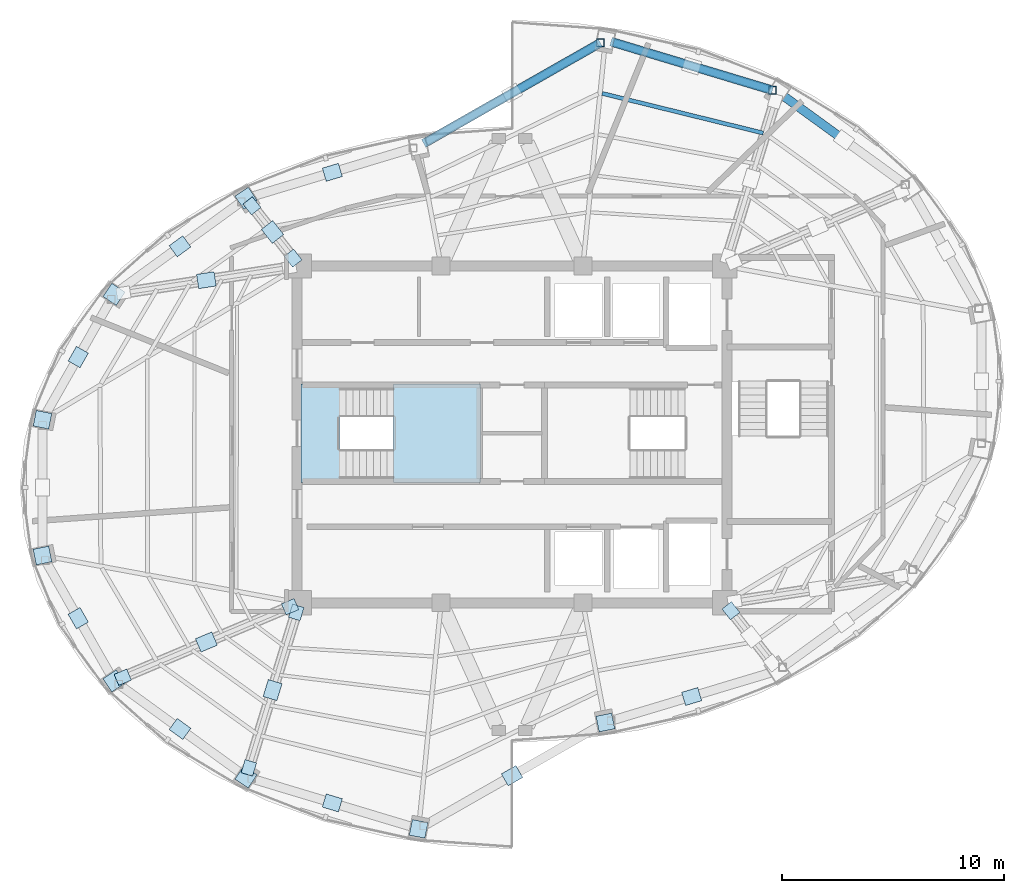
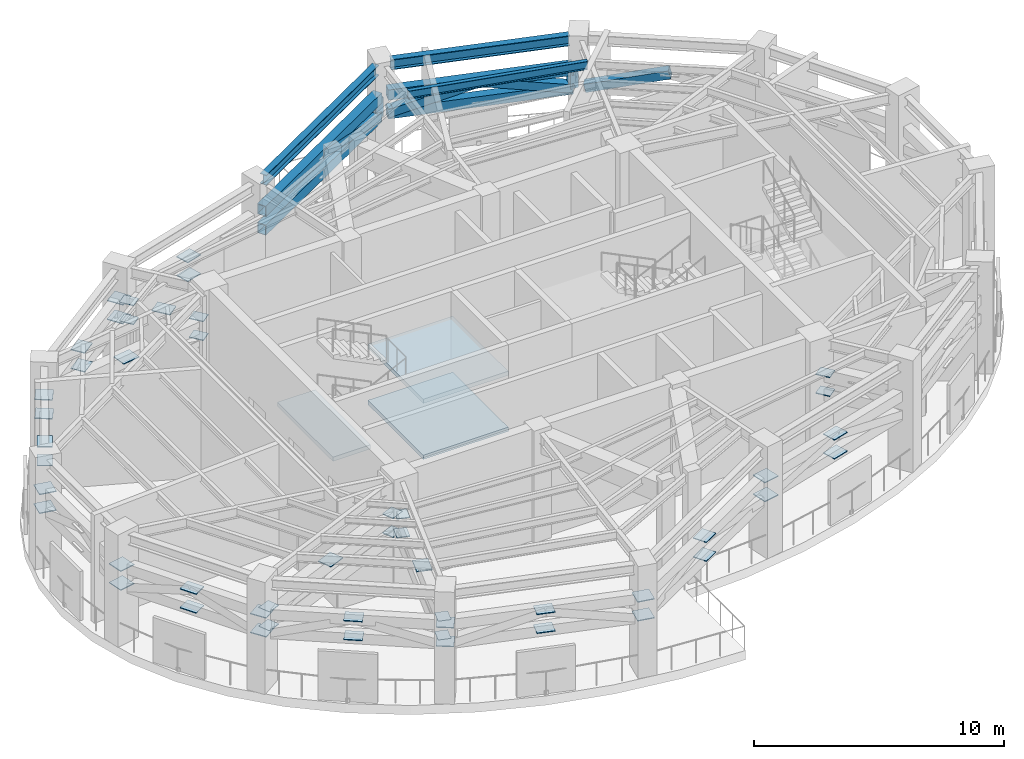
# One storey, part 5 of 12: 50 plates, 10 members, 3 beams, 3 slabs, 1 element without a shape of its own.
"""IFC4 building model written with IfcOpenShell, lengths in metres."""

import ifcopenshell
import ifcopenshell.guid

model = None  # the IFC model being written
_history = None  # IfcOwnerHistory: only IFC2X3 demands one
_inside = {}  # id of a spatial element -> (the spatial element, [elements in it])
_under = {}  # id of a project, library or spatial element -> (it, [spatial elements below it])
_declared = {}  # id of a project -> (the project, [libraries it declares])
_typed = {}  # id of a type object -> (the type object, [elements of that type])
_made_of = {}  # id of a material, layer set ... -> (it, [elements and type objects made of it])


def new_model(schema):
    """Start an empty IFC model of exactly this schema.

    Asked for "IFC4X3", IfcOpenShell would pick the latest addendum, in which some entities
    have other attributes; the version numbers below select the first issue.
    IFC2X3 requires an IfcOwnerHistory on every rooted entity: one is made here for all.
    """
    global model, _history
    if schema == "IFC4X3":
        model = ifcopenshell.file(schema_version=(4, 3, 0, 0))
    else:
        model = ifcopenshell.file(schema=schema)
    _inside.clear()
    _under.clear()
    _declared.clear()
    _typed.clear()
    _made_of.clear()
    _history = None
    if model.schema == "IFC2X3":
        org = make("IfcOrganization", Name="unknown")
        user = make(
            "IfcPersonAndOrganization",
            ThePerson=make("IfcPerson", FamilyName="unknown"),
            TheOrganization=org,
        )
        app = make(
            "IfcApplication",
            ApplicationDeveloper=org,
            Version="unknown",
            ApplicationFullName="unknown",
            ApplicationIdentifier="unknown",
        )
        _history = make(
            "IfcOwnerHistory",
            OwningUser=user,
            OwningApplication=app,
            ChangeAction="ADDED",
            CreationDate=0,
        )
    return model


def make(cls, **values):
    """One entity of the class cls with the attributes given. An attribute that is None is left unset."""
    return model.create_entity(
        cls, **{name: value for name, value in values.items() if value is not None}
    )


def rooted(cls, **values):
    """An entity with a GlobalId (a new one), such as an element, a storey or a relation."""
    return make(cls, GlobalId=ifcopenshell.guid.new(), OwnerHistory=_history, **values)


def si_unit(unit_type, name, prefix=None):
    """IfcSIUnit, for example si_unit("LENGTHUNIT", "METRE", prefix="MILLI")."""
    return make("IfcSIUnit", UnitType=unit_type, Prefix=prefix, Name=name)


def assignment(units):
    """IfcUnitAssignment: the units of a project."""
    return None if units is None else make("IfcUnitAssignment", Units=units)


def point(xyz):
    """IfcCartesianPoint."""
    return None if xyz is None else make("IfcCartesianPoint", Coordinates=xyz)


def direction(xyz):
    """IfcDirection."""
    return None if xyz is None else make("IfcDirection", DirectionRatios=xyz)


def frame(location, z_axis=None, x_axis=None):
    """IfcAxis2Placement3D, a coordinate frame: its origin and axes. An axis left out is left unset."""
    return make(
        "IfcAxis2Placement3D",
        Location=point(location),
        Axis=direction(z_axis),
        RefDirection=direction(x_axis),
    )


def frame_2d(location, x_axis=None):
    """IfcAxis2Placement2D, a coordinate frame in the plane: its origin and x axis."""
    return make(
        "IfcAxis2Placement2D", Location=point(location), RefDirection=direction(x_axis)
    )


def origin():
    """The frame at (0, 0, 0) with its axes left unset."""
    return frame((0.0, 0.0, 0.0))


def origin_2d():
    """The frame at (0, 0) in the plane with its x axis left unset."""
    return frame_2d((0.0, 0.0))


def place(relative_to, where):
    """IfcLocalPlacement: puts the frame where relative to a parent placement (None: the world)."""
    return make(
        "IfcLocalPlacement", PlacementRelTo=relative_to, RelativePlacement=where
    )


def context(
    kind, dimensions, precision=None, world=None, true_north=None, identifier=None
):
    """IfcGeometricRepresentationContext, for example the 3D "Model" context."""
    return make(
        "IfcGeometricRepresentationContext",
        ContextIdentifier=identifier,
        ContextType=kind,
        CoordinateSpaceDimension=dimensions,
        Precision=precision,
        WorldCoordinateSystem=world,
        TrueNorth=true_north,
    )


def subcontext(parent, identifier, kind, view, scale=None):
    """IfcGeometricRepresentationSubContext, for example "Body" below "Model"."""
    return make(
        "IfcGeometricRepresentationSubContext",
        ContextIdentifier=identifier,
        ContextType=kind,
        ParentContext=parent,
        TargetScale=scale,
        TargetView=view,
    )


def project(units=None, contexts=None):
    """IfcProject with its units and contexts."""
    return rooted(
        "IfcProject",
        Name="project",
        RepresentationContexts=contexts,
        UnitsInContext=assignment(units),
    )


def spatial(cls, under=None, at=None, **own):
    """A site, building, storey or space (cls), placed at a placement, below another one or the project."""
    s = rooted(cls, ObjectPlacement=at, **own)
    if under is not None:
        _under.setdefault(under.id(), (under, []))[1].append(s)
    return s


def polyline(points):
    """IfcPolyline through the points."""
    return make("IfcPolyline", Points=[point(p) for p in points])


def profile(cls, at=None, kind="AREA", **sizes):
    """A parametric profile (cls). Its sizes go by their IFC names, for example OverallWidth=200.0."""
    return make(cls, ProfileType=kind, Position=at, **sizes)


def rectangle(**sizes):
    """IfcRectangleProfileDef."""
    return profile("IfcRectangleProfileDef", **sizes)


def hollow_rectangle(**sizes):
    """IfcRectangleHollowProfileDef."""
    return profile("IfcRectangleHollowProfileDef", **sizes)


def i_section(**sizes):
    """IfcIShapeProfileDef."""
    return profile("IfcIShapeProfileDef", **sizes)


def outline(outer, holes=None, kind="AREA"):
    """IfcArbitraryClosedProfileDef: a profile drawn as a closed curve; with holes, ...WithVoids."""
    if holes is None:
        return make("IfcArbitraryClosedProfileDef", ProfileType=kind, OuterCurve=outer)
    return make(
        "IfcArbitraryProfileDefWithVoids",
        ProfileType=kind,
        OuterCurve=outer,
        InnerCurves=holes,
    )


def extrude(swept, where, along, depth):
    """IfcExtrudedAreaSolid: the profile swept, set in the frame where, extruded along a direction by depth."""
    return make(
        "IfcExtrudedAreaSolid",
        SweptArea=swept,
        Position=where,
        ExtrudedDirection=direction(along),
        Depth=depth,
    )


def shape(context_of_items, identifier, shape_type, items):
    """IfcShapeRepresentation: the items that make up one representation, for example the "Body"."""
    return make(
        "IfcShapeRepresentation",
        ContextOfItems=context_of_items,
        RepresentationIdentifier=identifier,
        RepresentationType=shape_type,
        Items=items,
    )


def material(Name=None, Category=None):
    """IfcMaterial."""
    return make("IfcMaterial", Name=Name, Category=Category)


def layer(
    of_material, thickness, ventilated=None, Name=None, Category=None, Priority=None
):
    """IfcMaterialLayer: one layer of a wall or slab, of a material (None: an air gap)."""
    return make(
        "IfcMaterialLayer",
        Material=of_material,
        LayerThickness=thickness,
        IsVentilated=ventilated,
        Name=Name,
        Category=Category,
        Priority=Priority,
    )


def layer_set(layers, Name=None):
    """IfcMaterialLayerSet."""
    return make("IfcMaterialLayerSet", MaterialLayers=layers, LayerSetName=Name)


def material_profile(
    of_material, cross_section, Name=None, Category=None, Priority=None
):
    """IfcMaterialProfile: a cross section and its material."""
    return make(
        "IfcMaterialProfile",
        Name=Name,
        Material=of_material,
        Profile=cross_section,
        Priority=Priority,
        Category=Category,
    )


def profile_set(profiles, Name=None, composite=None):
    """IfcMaterialProfileSet."""
    return make(
        "IfcMaterialProfileSet",
        Name=Name,
        MaterialProfiles=profiles,
        CompositeProfile=composite,
    )


def made_of(thing, what):
    """Note that an element or type object is made of a material, layer set ...; save() writes the relation."""
    if what is not None:
        _made_of.setdefault(what.id(), (what, []))[1].append(thing)
    return thing


def type_object(cls, material=None, **own):
    """A type object (cls), such as IfcWallType, which elements share."""
    return made_of(rooted(cls, **own), material)


def element(
    cls,
    number,
    at=None,
    inside=None,
    cuts=None,
    type_object=None,
    material=None,
    context=None,
    identifier="Body",
    shape_type=None,
    held_by="IfcProductDefinitionShape",
    body=None,
    shapes=None,
    **own,
):
    """One element of the class cls, such as IfcWall. Its Tag is "e" and its number.

    at: its placement. inside: the storey or other place that contains it. cuts: it is an
    opening in that element (IfcRelVoidsElement). A single representation is given by context,
    identifier, shape_type and body (its items); several are given by shapes. held_by: the class
    of the entity that holds the representations. save() writes the other relations.
    """
    e = rooted(cls, Tag="e%d" % number, ObjectPlacement=at, **own)
    if body is not None:
        shapes = [shape(context, identifier, shape_type, body)]
    if shapes is not None:
        e.Representation = make(held_by, Representations=shapes)
    if inside is not None:
        _inside.setdefault(inside.id(), (inside, []))[1].append(e)
    if cuts is not None:
        rooted(
            "IfcRelVoidsElement", RelatingBuildingElement=cuts, RelatedOpeningElement=e
        )
    if type_object is not None:
        _typed.setdefault(type_object.id(), (type_object, []))[1].append(e)
    return made_of(e, material)


def aggregate(whole, parts):
    """IfcRelAggregates: a whole, such as a stair, and the parts it consists of."""
    return rooted("IfcRelAggregates", RelatingObject=whole, RelatedObjects=parts)


def save(model, path):
    """Write the relations noted so far, then the file.

    IfcRelAggregates (storeys below a building ...), IfcRelContainedInSpatialStructure (elements
    in a storey), IfcRelDefinesByType, IfcRelAssociatesMaterial and IfcRelDeclares: one each for
    every whole, place, type object, material and project.
    """
    for whole, parts in _under.values():
        aggregate(whole, parts)
    for where, things in _inside.values():
        rooted(
            "IfcRelContainedInSpatialStructure",
            RelatedElements=things,
            RelatingStructure=where,
        )
    for kind, things in _typed.values():
        rooted("IfcRelDefinesByType", RelatedObjects=things, RelatingType=kind)
    for what, things in _made_of.values():
        rooted("IfcRelAssociatesMaterial", RelatedObjects=things, RelatingMaterial=what)
    for by, libraries in _declared.values():
        rooted("IfcRelDeclares", RelatingContext=by, RelatedDefinitions=libraries)
    model.write(path)


model = new_model("IFC4")

# Units and contexts
model_context = context("Model", 3, precision=1e-05, world=origin(), true_north=direction((0.0, 1.0)))
body_context = subcontext(model_context, "Body", "Model", "MODEL_VIEW")
ifc_project = project(units=[si_unit("LENGTHUNIT", "METRE"), si_unit("AREAUNIT", "SQUARE_METRE"), si_unit("VOLUMEUNIT", "CUBIC_METRE"), si_unit("PLANEANGLEUNIT", "RADIAN"), si_unit("MASSUNIT", "GRAM", prefix="KILO")], contexts=[model_context])

# Site, building, storey
site_placement = place(None, origin())
site = spatial("IfcSite", under=ifc_project, at=site_placement, CompositionType="ELEMENT")
building_placement = place(site_placement, origin())
building = spatial("IfcBuilding", under=site, at=building_placement, Name="Lazwardi Medical Tower", CompositionType="ELEMENT")
storey_placement = place(building_placement, frame((0.0, 0.0, 245.904052734375)))
storey = spatial("IfcBuildingStorey", under=building, at=storey_placement, Name="L64", CompositionType="ELEMENT", Elevation=245.904052734375)

# Beams
ifc_material_1 = material(Name="Steel S355", Category="steel")
ifc_material_profile_1 = material_profile(ifc_material_1, i_section(OverallWidth=0.300048828125, OverallDepth=0.5, WebThickness=0.014404296875, FlangeThickness=0.028076171875, at=origin_2d()), Name="HEB 500")
ifc_profile_set_1 = profile_set([ifc_material_profile_1], Name="Steel S355")
beam_type_1 = type_object("IfcBeamType", Name="BM-RB-Z4", PredefinedType="BEAM", material=ifc_profile_set_1)
beam_1_placement = place(storey_placement, frame((47.626953125, 43.56640625, 5.02197265625), z_axis=(-0.957544311906, 0.288286126506, 0.0), x_axis=(-0.288286126506, -0.957544311906, 0.0)))
element("IfcBeam", 1, at=beam_1_placement, inside=storey, type_object=beam_type_1, Name="Ring beam RB-05 B07 L64", PredefinedType="BEAM", context=body_context, shape_type="SweptSolid", body=[
    extrude(i_section(OverallWidth=0.300048828125, OverallDepth=0.5, WebThickness=0.014404296875, FlangeThickness=0.028076171875, at=origin_2d()), origin(), (0.0, 0.0, 1.0), 7.3515625),
])
beam_2_placement = place(storey_placement, frame((39.875, 45.605224609375, 5.02197265625), z_axis=(-0.868954808466, -0.494891443494, 0.0), x_axis=(0.494891443494, -0.868954808466, 0.0)))
element("IfcBeam", 2, at=beam_2_placement, inside=storey, type_object=beam_type_1, Name="Ring beam RB-05 B08 L64", PredefinedType="BEAM", context=body_context, shape_type="SweptSolid", body=[
    extrude(i_section(OverallWidth=0.300048828125, OverallDepth=0.5, WebThickness=0.014404296875, FlangeThickness=0.028076171875, at=origin_2d()), origin(), (0.0, 0.0, 1.0), 8.918701171875),
])
ifc_material_profile_2 = material_profile(ifc_material_1, i_section(OverallWidth=0.179931640625, OverallDepth=0.39990234375, WebThickness=0.008544921875, FlangeThickness=0.013427734375, at=origin_2d()), Name="IPE 400")
ifc_profile_set_2 = profile_set([ifc_material_profile_2], Name="Steel S355")
beam_type_2 = type_object("IfcBeamType", Name="BM-SJ-01", PredefinedType="JOIST", material=ifc_profile_set_2)
beam_3_placement = place(storey_placement, frame((47.334228515625, 41.59912109375, 5.072021484375), z_axis=(-0.971041669317, 0.238910184904, 0.0), x_axis=(-0.238910184904, -0.971041669317, 0.0)))
element("IfcBeam", 3, at=beam_3_placement, inside=storey, type_object=beam_type_2, Name="Secondary joist SJ-01 R1 B07 L64", PredefinedType="JOIST", context=body_context, shape_type="SweptSolid", body=[
    extrude(i_section(OverallWidth=0.179931640625, OverallDepth=0.39990234375, WebThickness=0.008544921875, FlangeThickness=0.013427734375, at=origin_2d()), origin(), (0.0, 0.0, 1.0), 7.482421875),
])

# Members
ifc_material_2 = material(Name="Steel S460", Category="steel")
ifc_material_profile_3 = material_profile(ifc_material_2, hollow_rectangle(XDim=0.39990234375, YDim=0.5, WallThickness=0.02490234375, at=origin_2d()), Name="RHS 500x400x25")
ifc_profile_set_3 = profile_set([ifc_material_profile_3], Name="Steel S460")
member_type_1 = type_object("IfcMemberType", Name="MEM-BC-01", PredefinedType="CHORD", material=ifc_profile_set_3)
for number, where, z_axis, x_axis, name in (
    (4, (47.751220703125, 43.529052734375, 2.679931640625), (-0.957542439022, 0.288292347232, 0.0), (-0.288292347232, -0.957542439022, 0.0), "Belt truss bottom chord BC-01 B07 L64"),
    (5, (47.751220703125, 43.529052734375, 3.599853515625), (-0.957542439022, 0.288292347232, 0.0), (-0.288292347232, -0.957542439022, 0.0), "Belt truss top chord BC-01 B07 L64"),
):
    element("IfcMember", number, at=place(storey_placement, frame(where, z_axis=z_axis, x_axis=x_axis)), inside=storey, type_object=member_type_1, Name=name, PredefinedType="CHORD", context=body_context, shape_type="SweptSolid", body=[
        extrude(hollow_rectangle(XDim=0.39990234375, YDim=0.5, WallThickness=0.02490234375, at=origin_2d()), origin(), (0.0, 0.0, 1.0), 7.611572265625),
    ])
for number, where, z_axis, x_axis, name in (
    (6, (39.988037109375, 45.669677734375, 2.679931640625), (-0.868947717974, -0.494903893123, 0.0), (0.494903893123, -0.868947717974, 0.0), "Belt truss bottom chord BC-01 B08 L64"),
    (7, (39.988037109375, 45.669677734375, 3.599853515625), (-0.868947717974, -0.494903893123, 0.0), (0.494903893123, -0.868947717974, 0.0), "Belt truss top chord BC-01 B08 L64"),
):
    element("IfcMember", number, at=place(storey_placement, frame(where, z_axis=z_axis, x_axis=x_axis)), inside=storey, type_object=member_type_1, Name=name, PredefinedType="CHORD", context=body_context, shape_type="SweptSolid", body=[
        extrude(hollow_rectangle(XDim=0.39990234375, YDim=0.5, WallThickness=0.02490234375, at=origin_2d()), origin(), (0.0, 0.0, 1.0), 9.178955078125),
    ])
ifc_material_profile_4 = material_profile(ifc_material_2, hollow_rectangle(XDim=0.39990234375, YDim=0.39990234375, WallThickness=0.02001953125, at=origin_2d()), Name="RHS 400x400x20")
ifc_profile_set_4 = profile_set([ifc_material_profile_4], Name="Steel S460")
member_type_2 = type_object("IfcMemberType", Name="MEM-BD-01", PredefinedType="BRACE", material=ifc_profile_set_4)
member_1_placement = place(storey_placement, frame((48.210693359375, 43.30126953125, 2.679931640625), z_axis=(0.781177786987, -0.567822520824, 0.259497302421), x_axis=(0.587963911037, 0.808887161054, 0.0)))
element("IfcMember", 8, at=member_1_placement, inside=storey, type_object=member_type_2, Name="Belt truss diagonal BD-01 B06B L64", PredefinedType="BRACE", context=body_context, shape_type="SweptSolid", body=[
    extrude(hollow_rectangle(XDim=0.39990234375, YDim=0.39990234375, WallThickness=0.02001953125, at=origin_2d()), origin(), (0.0, 0.0, 1.0), 3.544921875),
])
member_2_placement = place(storey_placement, frame((47.751220703125, 43.529052734375, 2.679931640625), z_axis=(-0.930733620288, 0.28023026193, 0.234959418548), x_axis=(-0.288301201934, -0.957539773045, 0.0)))
element("IfcMember", 9, at=member_2_placement, inside=storey, type_object=member_type_2, Name="Belt truss diagonal BD-01 B07A L64", PredefinedType="BRACE", context=body_context, shape_type="SweptSolid", body=[
    extrude(hollow_rectangle(XDim=0.39990234375, YDim=0.39990234375, WallThickness=0.02001953125, at=origin_2d()), origin(), (0.0, 0.0, 1.0), 3.915283203125),
])
member_3_placement = place(storey_placement, frame((40.462890625, 45.723388671875, 2.679931640625), z_axis=(0.930741958808, -0.280213998987, 0.234945782863), x_axis=(0.28828349305, 0.957545104752, 0.0)))
element("IfcMember", 10, at=member_3_placement, inside=storey, type_object=member_type_2, Name="Belt truss diagonal BD-01 B07B L64", PredefinedType="BRACE", context=body_context, shape_type="SweptSolid", body=[
    extrude(hollow_rectangle(XDim=0.39990234375, YDim=0.39990234375, WallThickness=0.02001953125, at=origin_2d()), origin(), (0.0, 0.0, 1.0), 3.91552734375),
])
member_4_placement = place(storey_placement, frame((39.988037109375, 45.669677734375, 2.679931640625), z_axis=(-0.851990313314, -0.485271985006, 0.196528895045), x_axis=(0.494923975875, -0.868936279657, 0.0)))
element("IfcMember", 11, at=member_4_placement, inside=storey, type_object=member_type_2, Name="Belt truss diagonal BD-01 B08A L64", PredefinedType="BRACE", context=body_context, shape_type="SweptSolid", body=[
    extrude(hollow_rectangle(XDim=0.39990234375, YDim=0.39990234375, WallThickness=0.02001953125, at=origin_2d()), origin(), (0.0, 0.0, 1.0), 4.680908203125),
])
ifc_material_profile_5 = material_profile(ifc_material_1, hollow_rectangle(XDim=0.35009765625, YDim=0.35009765625, WallThickness=0.01611328125, at=origin_2d()), Name="RHS 350x350x16")
ifc_profile_set_5 = profile_set([ifc_material_profile_5], Name="Steel S355")
member_type_3 = type_object("IfcMemberType", Name="MEM-BV-01", PredefinedType="POST", material=ifc_profile_set_5)
for number, where, z_axis, x_axis, name in (
    (12, (47.751220703125, 43.529052734375, 2.679931640625), (0.0, 0.0, 1.0), (1.0, 0.0, 0.0), "Belt truss post BV-01 B07 L64"),
    (13, (39.988037109375, 45.669677734375, 2.679931640625), (0.0, 0.0, 1.0), (1.0, 0.0, 0.0), "Belt truss post BV-01 B08 L64"),
):
    element("IfcMember", number, at=place(storey_placement, frame(where, z_axis=z_axis, x_axis=x_axis)), inside=storey, type_object=member_type_3, Name=name, PredefinedType="POST", context=body_context, shape_type="SweptSolid", body=[
        extrude(hollow_rectangle(XDim=0.35009765625, YDim=0.35009765625, WallThickness=0.01611328125, at=origin_2d()), origin(), (0.0, 0.0, 1.0), 0.919921875),
    ])

# Plates
ifc_layer_1 = layer(ifc_material_2, 0.0400390625)
ifc_layer_set_1 = layer_set([ifc_layer_1], Name="Steel S460")
plate_type = type_object("IfcPlateType", Name="PLT-GUS-01", PredefinedType="USERDEFINED", material=ifc_layer_set_1)
for number, where, z_axis, x_axis, name in (
    (14, (40.214111328125, 15.001708984375, 2.659912109375), (0.0, 0.0, 1.0), (0.195090322016, -0.980785280403, 0.0), "Belt truss column gusset plate GP-01 MB01 L64"),
    (15, (40.214111328125, 15.001708984375, 3.579833984375), (0.0, 0.0, 1.0), (0.195090322016, -0.980785280403, 0.0), "Belt truss column gusset plate GP-01 MT01 L64"),
):
    element("IfcPlate", number, at=place(storey_placement, frame(where, z_axis=z_axis, x_axis=x_axis)), inside=storey, type_object=plate_type, Name=name, ObjectType="GUSSET_PLATE", PredefinedType="USERDEFINED", context=body_context, shape_type="SweptSolid", body=[
        extrude(rectangle(XDim=0.719970703125, YDim=0.719970703125, at=origin_2d()), origin(), (0.0, 0.0, 1.0), 0.0400390625),
    ])
for number, where, z_axis, x_axis, name in (
    (16, (44.107177734375, 16.173828125, 3.579833984375), (0.0, 0.0, 1.0), (0.957571360805, 0.288196268134, 0.0), "Belt truss gusset plate GP-01 T01 L64"),
    (17, (44.107177734375, 16.173828125, 2.659912109375), (0.0, 0.0, 1.0), (0.957571360805, 0.288196268134, 0.0), "Belt truss gusset plate GP-01 B01 L64"),
    (18, (27.892822265625, 39.826171875, 3.579833984375), (0.0, 0.0, 1.0), (-0.957571360805, -0.288196268134, 0.0), "Belt truss gusset plate GP-01 T09 L64"),
    (19, (27.892822265625, 39.826171875, 2.659912109375), (0.0, 0.0, 1.0), (-0.957571360805, -0.288196268134, 0.0), "Belt truss gusset plate GP-01 B09 L64"),
):
    element("IfcPlate", number, at=place(storey_placement, frame(where, z_axis=z_axis, x_axis=x_axis)), inside=storey, type_object=plate_type, Name=name, ObjectType="GUSSET_PLATE", PredefinedType="USERDEFINED", context=body_context, shape_type="SweptSolid", body=[
        extrude(rectangle(XDim=0.760009765625, YDim=0.6201171875, at=origin_2d()), origin(), (0.0, 0.0, 1.0), 0.0400390625),
    ])
for number, where, z_axis, x_axis, name in (
    (20, (23.999755859375, 38.654052734375, 2.659912109375), (0.0, 0.0, 1.0), (-0.55557023302, 0.831469612303, 0.0), "Belt truss column gusset plate GP-01 MB10 L64"),
    (21, (23.999755859375, 38.654052734375, 3.579833984375), (0.0, 0.0, 1.0), (-0.55557023302, 0.831469612303, 0.0), "Belt truss column gusset plate GP-01 MT10 L64"),
):
    element("IfcPlate", number, at=place(storey_placement, frame(where, z_axis=z_axis, x_axis=x_axis)), inside=storey, type_object=plate_type, Name=name, ObjectType="GUSSET_PLATE", PredefinedType="USERDEFINED", context=body_context, shape_type="SweptSolid", body=[
        extrude(rectangle(XDim=0.719970703125, YDim=0.719970703125, at=origin_2d()), origin(), (0.0, 0.0, 1.0), 0.0400390625),
    ])
for number, where, z_axis, x_axis, name in (
    (22, (21.02001953125, 36.48828125, 3.579833984375), (0.0, 0.0, 1.0), (-0.808914394174, -0.587926443442, 0.0), "Belt truss gusset plate GP-01 T10 L64"),
    (23, (21.02001953125, 36.48828125, 2.659912109375), (0.0, 0.0, 1.0), (-0.808914394174, -0.587926443442, 0.0), "Belt truss gusset plate GP-01 B10 L64"),
):
    element("IfcPlate", number, at=place(storey_placement, frame(where, z_axis=z_axis, x_axis=x_axis)), inside=storey, type_object=plate_type, Name=name, ObjectType="GUSSET_PLATE", PredefinedType="USERDEFINED", context=body_context, shape_type="SweptSolid", body=[
        extrude(rectangle(XDim=0.760009765625, YDim=0.6201171875, at=origin_2d()), origin(), (0.0, 0.0, 1.0), 0.0400390625),
    ])
for number, where, z_axis, x_axis, name in (
    (24, (18.040283203125, 34.322509765625, 2.659912109375), (0.0, 0.0, 1.0), (-0.831469612303, 0.55557023302, 0.0), "Belt truss column gusset plate GP-01 MB11 L64"),
    (25, (18.040283203125, 34.322509765625, 3.579833984375), (0.0, 0.0, 1.0), (-0.831469612303, 0.55557023302, 0.0), "Belt truss column gusset plate GP-01 MT11 L64"),
):
    element("IfcPlate", number, at=place(storey_placement, frame(where, z_axis=z_axis, x_axis=x_axis)), inside=storey, type_object=plate_type, Name=name, ObjectType="GUSSET_PLATE", PredefinedType="USERDEFINED", context=body_context, shape_type="SweptSolid", body=[
        extrude(rectangle(XDim=0.719970703125, YDim=0.719970703125, at=origin_2d()), origin(), (0.0, 0.0, 1.0), 0.0400390625),
    ])
for number, where, z_axis, x_axis, name in (
    (26, (16.427490234375, 31.49267578125, 3.579833984375), (0.0, 0.0, 1.0), (-0.495155428655, -0.868804409216, 0.0), "Belt truss gusset plate GP-01 T11 L64"),
    (27, (16.427490234375, 31.49267578125, 2.659912109375), (0.0, 0.0, 1.0), (-0.495155428655, -0.868804409216, 0.0), "Belt truss gusset plate GP-01 B11 L64"),
):
    element("IfcPlate", number, at=place(storey_placement, frame(where, z_axis=z_axis, x_axis=x_axis)), inside=storey, type_object=plate_type, Name=name, ObjectType="GUSSET_PLATE", PredefinedType="USERDEFINED", context=body_context, shape_type="SweptSolid", body=[
        extrude(rectangle(XDim=0.760009765625, YDim=0.6201171875, at=origin_2d()), origin(), (0.0, 0.0, 1.0), 0.0400390625),
    ])
for number, where, z_axis, x_axis, name in (
    (28, (14.81494140625, 28.662841796875, 2.659912109375), (0.0, 0.0, 1.0), (-0.980785280403, 0.195090322016, 0.0), "Belt truss column gusset plate GP-01 MB12 L64"),
    (29, (14.81494140625, 28.662841796875, 3.579833984375), (0.0, 0.0, 1.0), (-0.980785280403, 0.195090322016, 0.0), "Belt truss column gusset plate GP-01 MT12 L64"),
    (30, (14.81494140625, 22.537109375, 2.659912109375), (0.0, 0.0, 1.0), (-0.980785280403, -0.195090322016, 0.0), "Belt truss column gusset plate GP-01 MB13 L64"),
    (31, (14.81494140625, 22.537109375, 3.579833984375), (0.0, 0.0, 1.0), (-0.980785280403, -0.195090322016, 0.0), "Belt truss column gusset plate GP-01 MT13 L64"),
):
    element("IfcPlate", number, at=place(storey_placement, frame(where, z_axis=z_axis, x_axis=x_axis)), inside=storey, type_object=plate_type, Name=name, ObjectType="GUSSET_PLATE", PredefinedType="USERDEFINED", context=body_context, shape_type="SweptSolid", body=[
        extrude(rectangle(XDim=0.719970703125, YDim=0.719970703125, at=origin_2d()), origin(), (0.0, 0.0, 1.0), 0.0400390625),
    ])
for number, where, z_axis, x_axis, name in (
    (32, (16.427490234375, 19.707275390625, 3.579833984375), (0.0, 0.0, 1.0), (0.495155428655, -0.868804409216, 0.0), "Belt truss gusset plate GP-01 T13 L64"),
    (33, (16.427490234375, 19.707275390625, 2.659912109375), (0.0, 0.0, 1.0), (0.495155428655, -0.868804409216, 0.0), "Belt truss gusset plate GP-01 B13 L64"),
):
    element("IfcPlate", number, at=place(storey_placement, frame(where, z_axis=z_axis, x_axis=x_axis)), inside=storey, type_object=plate_type, Name=name, ObjectType="GUSSET_PLATE", PredefinedType="USERDEFINED", context=body_context, shape_type="SweptSolid", body=[
        extrude(rectangle(XDim=0.760009765625, YDim=0.6201171875, at=origin_2d()), origin(), (0.0, 0.0, 1.0), 0.0400390625),
    ])
for number, where, z_axis, x_axis, name in (
    (34, (18.040283203125, 16.87744140625, 2.659912109375), (0.0, 0.0, 1.0), (-0.831469612303, -0.55557023302, 0.0), "Belt truss column gusset plate GP-01 MB14 L64"),
    (35, (18.040283203125, 16.87744140625, 3.579833984375), (0.0, 0.0, 1.0), (-0.831469612303, -0.55557023302, 0.0), "Belt truss column gusset plate GP-01 MT14 L64"),
):
    element("IfcPlate", number, at=place(storey_placement, frame(where, z_axis=z_axis, x_axis=x_axis)), inside=storey, type_object=plate_type, Name=name, ObjectType="GUSSET_PLATE", PredefinedType="USERDEFINED", context=body_context, shape_type="SweptSolid", body=[
        extrude(rectangle(XDim=0.719970703125, YDim=0.719970703125, at=origin_2d()), origin(), (0.0, 0.0, 1.0), 0.0400390625),
    ])
for number, where, z_axis, x_axis, name in (
    (36, (21.02001953125, 14.711669921875, 3.579833984375), (0.0, 0.0, 1.0), (0.808914394174, -0.587926443442, 0.0), "Belt truss gusset plate GP-01 T14 L64"),
    (37, (21.02001953125, 14.711669921875, 2.659912109375), (0.0, 0.0, 1.0), (0.808914394174, -0.587926443442, 0.0), "Belt truss gusset plate GP-01 B14 L64"),
):
    element("IfcPlate", number, at=place(storey_placement, frame(where, z_axis=z_axis, x_axis=x_axis)), inside=storey, type_object=plate_type, Name=name, ObjectType="GUSSET_PLATE", PredefinedType="USERDEFINED", context=body_context, shape_type="SweptSolid", body=[
        extrude(rectangle(XDim=0.760009765625, YDim=0.6201171875, at=origin_2d()), origin(), (0.0, 0.0, 1.0), 0.0400390625),
    ])
for number, where, z_axis, x_axis, name in (
    (38, (23.999755859375, 12.5458984375, 2.659912109375), (0.0, 0.0, 1.0), (-0.55557023302, -0.831469612303, 0.0), "Belt truss column gusset plate GP-01 MB15 L64"),
    (39, (23.999755859375, 12.5458984375, 3.579833984375), (0.0, 0.0, 1.0), (-0.55557023302, -0.831469612303, 0.0), "Belt truss column gusset plate GP-01 MT15 L64"),
):
    element("IfcPlate", number, at=place(storey_placement, frame(where, z_axis=z_axis, x_axis=x_axis)), inside=storey, type_object=plate_type, Name=name, ObjectType="GUSSET_PLATE", PredefinedType="USERDEFINED", context=body_context, shape_type="SweptSolid", body=[
        extrude(rectangle(XDim=0.719970703125, YDim=0.719970703125, at=origin_2d()), origin(), (0.0, 0.0, 1.0), 0.0400390625),
    ])
for number, where, z_axis, x_axis, name in (
    (40, (27.892822265625, 11.373779296875, 3.579833984375), (0.0, 0.0, 1.0), (0.957571360805, -0.288196268134, 0.0), "Belt truss gusset plate GP-01 T15 L64"),
    (41, (27.892822265625, 11.373779296875, 2.659912109375), (0.0, 0.0, 1.0), (0.957571360805, -0.288196268134, 0.0), "Belt truss gusset plate GP-01 B15 L64"),
):
    element("IfcPlate", number, at=place(storey_placement, frame(where, z_axis=z_axis, x_axis=x_axis)), inside=storey, type_object=plate_type, Name=name, ObjectType="GUSSET_PLATE", PredefinedType="USERDEFINED", context=body_context, shape_type="SweptSolid", body=[
        extrude(rectangle(XDim=0.760009765625, YDim=0.6201171875, at=origin_2d()), origin(), (0.0, 0.0, 1.0), 0.0400390625),
    ])
for number, where, z_axis, x_axis, name in (
    (42, (31.785888671875, 10.20166015625, 2.659912109375), (0.0, 0.0, 1.0), (-0.195090322016, -0.980785280403, 0.0), "Belt truss column gusset plate GP-01 MB16 L64"),
    (43, (31.785888671875, 10.20166015625, 3.579833984375), (0.0, 0.0, 1.0), (-0.195090322016, -0.980785280403, 0.0), "Belt truss column gusset plate GP-01 MT16 L64"),
):
    element("IfcPlate", number, at=place(storey_placement, frame(where, z_axis=z_axis, x_axis=x_axis)), inside=storey, type_object=plate_type, Name=name, ObjectType="GUSSET_PLATE", PredefinedType="USERDEFINED", context=body_context, shape_type="SweptSolid", body=[
        extrude(rectangle(XDim=0.719970703125, YDim=0.719970703125, at=origin_2d()), origin(), (0.0, 0.0, 1.0), 0.0400390625),
    ])
for number, where, z_axis, x_axis, name in (
    (44, (36.0, 12.601806640625, 3.579833984375), (0.0, 0.0, 1.0), (0.868977198133, 0.494852128545, 0.0), "Belt truss gusset plate GP-01 T16 L64"),
    (45, (36.0, 12.601806640625, 2.659912109375), (0.0, 0.0, 1.0), (0.868977198133, 0.494852128545, 0.0), "Belt truss gusset plate GP-01 B16 L64"),
):
    element("IfcPlate", number, at=place(storey_placement, frame(where, z_axis=z_axis, x_axis=x_axis)), inside=storey, type_object=plate_type, Name=name, ObjectType="GUSSET_PLATE", PredefinedType="USERDEFINED", context=body_context, shape_type="SweptSolid", body=[
        extrude(rectangle(XDim=0.760009765625, YDim=0.6201171875, at=origin_2d()), origin(), (0.0, 0.0, 1.0), 0.0400390625),
    ])
plate_1_placement = place(storey_placement, frame((22.2109375, 18.635009765625, 3.579833984375), z_axis=(0.0, 0.0, 1.0), x_axis=(-0.921524629468, -0.388319916157, 0.0)))
element("IfcPlate", 46, at=plate_1_placement, inside=storey, type_object=plate_type, Name="Outrigger truss gusset plate GP-01 OR1 L64", ObjectType="GUSSET_PLATE", PredefinedType="USERDEFINED", context=body_context, shape_type="SweptSolid", body=[
    extrude(rectangle(XDim=0.800048828125, YDim=0.64990234375, at=origin_2d()), origin(), (0.0, 0.0, 1.0), 0.0400390625),
])
for number, where, z_axis, x_axis, name in (
    (47, (25.9853515625, 20.225341796875, 2.659912109375), (0.0, 0.0, 1.0), (-0.921524629468, -0.388319916157, 0.0), "Outrigger core gusset plate GP-01 OR1CB L64"),
    (48, (25.9853515625, 20.225341796875, 3.579833984375), (0.0, 0.0, 1.0), (-0.921524629468, -0.388319916157, 0.0), "Outrigger core gusset plate GP-01 OR1CT L64"),
    (49, (18.4365234375, 17.04443359375, 2.659912109375), (0.0, 0.0, 1.0), (-0.921524629468, -0.388319916157, 0.0), "Outrigger perimeter gusset plate GP-01 OR1MB L64"),
    (50, (18.4365234375, 17.04443359375, 3.579833984375), (0.0, 0.0, 1.0), (-0.921524629468, -0.388319916157, 0.0), "Outrigger perimeter gusset plate GP-01 OR1MT L64"),
):
    element("IfcPlate", number, at=place(storey_placement, frame(where, z_axis=z_axis, x_axis=x_axis)), inside=storey, type_object=plate_type, Name=name, ObjectType="GUSSET_PLATE", PredefinedType="USERDEFINED", context=body_context, shape_type="SweptSolid", body=[
        extrude(rectangle(XDim=0.6201171875, YDim=0.5400390625, at=origin_2d()), origin(), (0.0, 0.0, 1.0), 0.0400390625),
    ])
plate_2_placement = place(storey_placement, frame((25.197021484375, 16.46337890625, 3.579833984375), z_axis=(0.0, 0.0, 1.0), x_axis=(-0.292204793604, -0.956355769886, 0.0)))
element("IfcPlate", 51, at=plate_2_placement, inside=storey, type_object=plate_type, Name="Outrigger truss gusset plate GP-01 OR2 L64", ObjectType="GUSSET_PLATE", PredefinedType="USERDEFINED", context=body_context, shape_type="SweptSolid", body=[
    extrude(rectangle(XDim=0.800048828125, YDim=0.64990234375, at=origin_2d()), origin(), (0.0, 0.0, 1.0), 0.0400390625),
])
for number, where, z_axis, x_axis, name in (
    (52, (26.2685546875, 19.969482421875, 2.659912109375), (0.0, 0.0, 1.0), (-0.292204793604, -0.956355769886, 0.0), "Outrigger core gusset plate GP-01 OR2CB L64"),
    (53, (26.2685546875, 19.969482421875, 3.579833984375), (0.0, 0.0, 1.0), (-0.292204793604, -0.956355769886, 0.0), "Outrigger core gusset plate GP-01 OR2CT L64"),
    (54, (24.12548828125, 12.95703125, 2.659912109375), (0.0, 0.0, 1.0), (-0.292204793604, -0.956355769886, 0.0), "Outrigger perimeter gusset plate GP-01 OR2MB L64"),
    (55, (24.12548828125, 12.95703125, 3.579833984375), (0.0, 0.0, 1.0), (-0.292204793604, -0.956355769886, 0.0), "Outrigger perimeter gusset plate GP-01 OR2MT L64"),
    (56, (45.878173828125, 20.046142578125, 2.659912109375), (0.0, 0.0, 1.0), (0.61785961309, -0.786288432137, 0.0), "Outrigger core gusset plate GP-01 OR3CB L64"),
    (57, (45.878173828125, 20.046142578125, 3.579833984375), (0.0, 0.0, 1.0), (0.61785961309, -0.786288432137, 0.0), "Outrigger core gusset plate GP-01 OR3CT L64"),
):
    element("IfcPlate", number, at=place(storey_placement, frame(where, z_axis=z_axis, x_axis=x_axis)), inside=storey, type_object=plate_type, Name=name, ObjectType="GUSSET_PLATE", PredefinedType="USERDEFINED", context=body_context, shape_type="SweptSolid", body=[
        extrude(rectangle(XDim=0.6201171875, YDim=0.5400390625, at=origin_2d()), origin(), (0.0, 0.0, 1.0), 0.0400390625),
    ])
plate_3_placement = place(storey_placement, frame((25.193603515625, 37.135009765625, 3.579833984375), z_axis=(0.0, 0.0, 1.0), x_axis=(-0.61785961309, 0.786288432137, 0.0)))
element("IfcPlate", 58, at=plate_3_placement, inside=storey, type_object=plate_type, Name="Outrigger truss gusset plate GP-01 OR7 L64", ObjectType="GUSSET_PLATE", PredefinedType="USERDEFINED", context=body_context, shape_type="SweptSolid", body=[
    extrude(rectangle(XDim=0.800048828125, YDim=0.64990234375, at=origin_2d()), origin(), (0.0, 0.0, 1.0), 0.0400390625),
])
for number, where, z_axis, x_axis, name in (
    (59, (26.121826171875, 35.953857421875, 2.659912109375), (0.0, 0.0, 1.0), (-0.61785961309, 0.786288432137, 0.0), "Outrigger core gusset plate GP-01 OR7CB L64"),
    (60, (26.121826171875, 35.953857421875, 3.579833984375), (0.0, 0.0, 1.0), (-0.61785961309, 0.786288432137, 0.0), "Outrigger core gusset plate GP-01 OR7CT L64"),
    (61, (24.265380859375, 38.31591796875, 2.659912109375), (0.0, 0.0, 1.0), (-0.61785961309, 0.786288432137, 0.0), "Outrigger perimeter gusset plate GP-01 OR7MB L64"),
    (62, (24.265380859375, 38.31591796875, 3.579833984375), (0.0, 0.0, 1.0), (-0.61785961309, 0.786288432137, 0.0), "Outrigger perimeter gusset plate GP-01 OR7MT L64"),
):
    element("IfcPlate", number, at=place(storey_placement, frame(where, z_axis=z_axis, x_axis=x_axis)), inside=storey, type_object=plate_type, Name=name, ObjectType="GUSSET_PLATE", PredefinedType="USERDEFINED", context=body_context, shape_type="SweptSolid", body=[
        extrude(rectangle(XDim=0.6201171875, YDim=0.5400390625, at=origin_2d()), origin(), (0.0, 0.0, 1.0), 0.0400390625),
    ])
plate_4_placement = place(storey_placement, frame((22.210205078125, 34.959716796875, 3.579833984375), z_axis=(0.0, 0.0, 1.0), x_axis=(-0.988520271746, -0.151088293215, 0.0)))
element("IfcPlate", 63, at=plate_4_placement, inside=storey, type_object=plate_type, Name="Outrigger truss gusset plate GP-01 OR8 L64", ObjectType="GUSSET_PLATE", PredefinedType="USERDEFINED", context=body_context, shape_type="SweptSolid", body=[
    extrude(rectangle(XDim=0.800048828125, YDim=0.64990234375, at=origin_2d()), origin(), (0.0, 0.0, 1.0), 0.0400390625),
])

# Stair, slabs
ifc_material_3 = material(Name="Concrete C45/55", Category="concrete")
stair_type = type_object("IfcStairType", Name="STR-REF", PredefinedType="HALF_TURN_STAIR", material=ifc_material_3)
stair_placement = place(storey_placement, origin())
stair = element("IfcStair", 64, at=stair_placement, inside=storey, type_object=stair_type, Name="L64 Protected Exit Stair ST1", PredefinedType="HALF_TURN_STAIR")
ifc_layer_2 = layer(ifc_material_3, 0.199951171875)
ifc_layer_set_2 = layer_set([ifc_layer_2], Name="Concrete C45/55")
slab_type = type_object("IfcSlabType", Name="SLB-LND-190", PredefinedType="LANDING", material=ifc_layer_set_2)
slab_1_placement = place(storey_placement, frame((0.0, 0.0, 1.16796875)))
slab_1 = element("IfcSlab", 65, at=slab_1_placement, type_object=slab_type, Name="ST1 landing 1", PredefinedType="LANDING", context=body_context, shape_type="SweptSolid", body=[
    extrude(outline(polyline([(30.655029296875, 25.840087890625), (34.580078125, 25.840087890625), (34.580078125, 30.280029296875), (30.655029296875, 30.280029296875), (30.655029296875, 25.840087890625)])), origin(), (0.0, 0.0, 1.0), 0.199951171875),
])
slab_2_placement = place(storey_placement, frame((0.0, 0.0, 2.535888671875)))
slab_2 = element("IfcSlab", 66, at=slab_2_placement, type_object=slab_type, Name="ST1 landing 2", PredefinedType="LANDING", context=body_context, shape_type="SweptSolid", body=[
    extrude(outline(polyline([(26.47998046875, 25.840087890625), (28.22509765625, 25.840087890625), (28.22509765625, 30.280029296875), (26.47998046875, 30.280029296875), (26.47998046875, 25.840087890625)])), origin(), (0.0, 0.0, 1.0), 0.199951171875),
])
slab_3_placement = place(storey_placement, frame((0.0, 0.0, 3.904052734375)))
slab_3 = element("IfcSlab", 67, at=slab_3_placement, type_object=slab_type, Name="ST1 landing 3", PredefinedType="LANDING", context=body_context, shape_type="SweptSolid", body=[
    extrude(outline(polyline([(30.655029296875, 25.840087890625), (34.580078125, 25.840087890625), (34.580078125, 30.280029296875), (30.655029296875, 30.280029296875), (30.655029296875, 25.840087890625)])), origin(), (0.0, 0.0, 1.0), 0.199951171875),
])
aggregate(stair, [slab_1, slab_2, slab_3])

save(model, "model.ifc")
